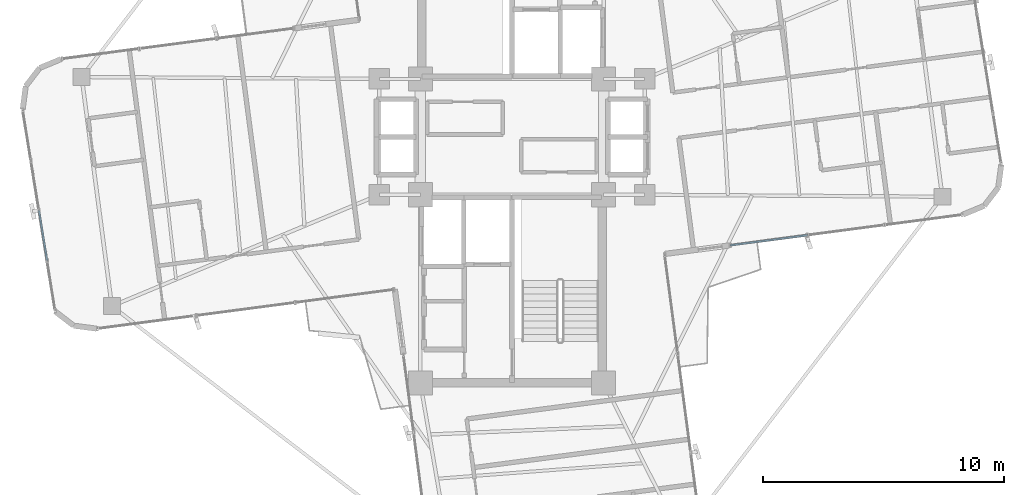
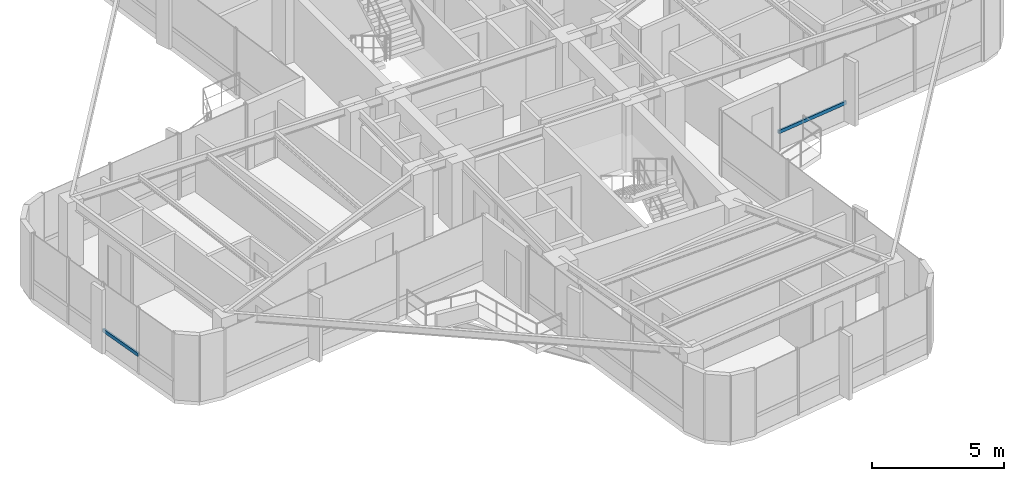
# One storey, part 6 of 23: 2 members, 2 elements without a shape of their own.
"""IFC4 building model written with IfcOpenShell, lengths in metres."""

from ifc_helpers import new_model, si_unit, direction, frame, origin, origin_2d, place, context, subcontext, project, spatial, hollow_rectangle, extrude, source, transform, mapped, material, material_profile, profile_set, type_object, element, aggregate, save


model = new_model("IFC4")

# Units and contexts
model_context = context("Model", 3, precision=1e-05, world=origin(), true_north=direction((0.0, 1.0)))
body_context = subcontext(model_context, "Body", "Model", "MODEL_VIEW")
ifc_project = project(units=[si_unit("LENGTHUNIT", "METRE"), si_unit("AREAUNIT", "SQUARE_METRE"), si_unit("VOLUMEUNIT", "CUBIC_METRE"), si_unit("PLANEANGLEUNIT", "RADIAN"), si_unit("MASSUNIT", "GRAM", prefix="KILO")], contexts=[model_context])

# Site, building, storey
site_placement = place(None, origin())
site = spatial("IfcSite", under=ifc_project, at=site_placement, CompositionType="ELEMENT")
building_placement = place(site_placement, origin())
building = spatial("IfcBuilding", under=site, at=building_placement, Name="Sahyath Konkavel Grand Hotel", CompositionType="ELEMENT")
storey_placement = place(building_placement, frame((0.0, 0.0, 226.60009765625)))
storey = spatial("IfcBuildingStorey", under=building, at=storey_placement, Name="L63", CompositionType="ELEMENT", Elevation=226.60009765625)

# Curtain wall, member
ifc_material_1 = material(Name="Anodised Bronze Aluminium & Low-E Glazing", Category="aluminium")
curtain_wall_type = type_object("IfcCurtainWallType", Name="CW-ZONE4", PredefinedType="NOTDEFINED", material=ifc_material_1)
curtain_wall_1_placement = place(storey_placement, origin())
curtain_wall_1 = element("IfcCurtainWall", 1, at=curtain_wall_1_placement, inside=storey, type_object=curtain_wall_type, Name="L63 Unitised Curtain Wall F0", PredefinedType="NOTDEFINED")
ifc_material_2 = material(Name="Anodised Bronze Aluminium", Category="aluminium")
ifc_material_profile = material_profile(ifc_material_2, hollow_rectangle(XDim=0.080078125, YDim=0.159912109375, WallThickness=0.006103515625, at=origin_2d()), Name="RHS 160x80x6")
ifc_profile_set = profile_set([ifc_material_profile], Name="Anodised Bronze Aluminium")
member_type = type_object("IfcMemberType", Name="CW-TRN-160", PredefinedType="USERDEFINED", material=ifc_profile_set)
shared_shape_1 = source(origin(), body_context, "Body", "SweptSolid", [
    extrude(hollow_rectangle(XDim=0.080078125, YDim=0.159912109375, WallThickness=0.006103515625, at=origin_2d()), origin(), (0.0, 0.0, 1.0), 3.230712890625),
])
member_1_placement = place(storey_placement, frame((9.042236328125, -4.496337890625, 0.849853515625), z_axis=(0.991447606837, 0.130505336662, 0.0), x_axis=(-0.130505336662, 0.991447606837, 0.0)))
member_1 = element("IfcMember", 2, at=member_1_placement, type_object=member_type, Name="L63 Curtain Wall Transom F0-0-spandrel", ObjectType="TRANSOM", PredefinedType="USERDEFINED", context=body_context, shape_type="MappedRepresentation", body=[
    mapped(shared_shape_1, transform((0.0, 0.0, 0.0), scale=1.0)),
])
aggregate(curtain_wall_1, [member_1])

curtain_wall_2_placement = place(storey_placement, origin())
curtain_wall_2 = element("IfcCurtainWall", 3, at=curtain_wall_2_placement, inside=storey, type_object=curtain_wall_type, Name="L63 Unitised Curtain Wall F20", PredefinedType="NOTDEFINED")
shared_shape_2 = source(origin(), body_context, "Body", "SweptSolid", [
    extrude(hollow_rectangle(XDim=0.080078125, YDim=0.159912109375, WallThickness=0.006103515625, at=origin_2d()), origin(), (0.0, 0.0, 1.0), 2.106201171875),
])
member_2_placement = place(storey_placement, frame((-19.60595703125, -3.047607421875, 0.849853515625), z_axis=(0.159378208048, -0.987217598506, 0.0), x_axis=(0.987217598506, 0.159378208048, 0.0)))
member_2 = element("IfcMember", 4, at=member_2_placement, type_object=member_type, Name="L63 Curtain Wall Transom F20-2-spandrel", ObjectType="TRANSOM", PredefinedType="USERDEFINED", context=body_context, shape_type="MappedRepresentation", body=[
    mapped(shared_shape_2, transform((0.0, 0.0, 0.0), scale=1.0)),
])
aggregate(curtain_wall_2, [member_2])

save(model, "model.ifc")
